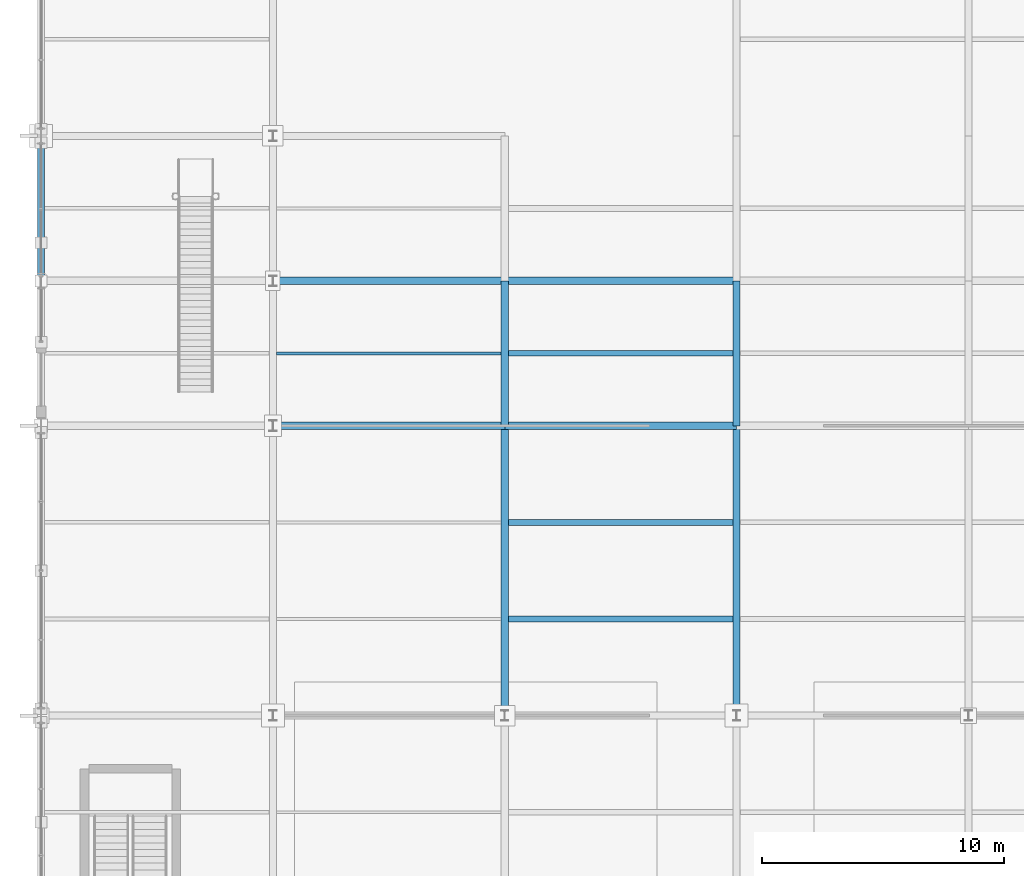
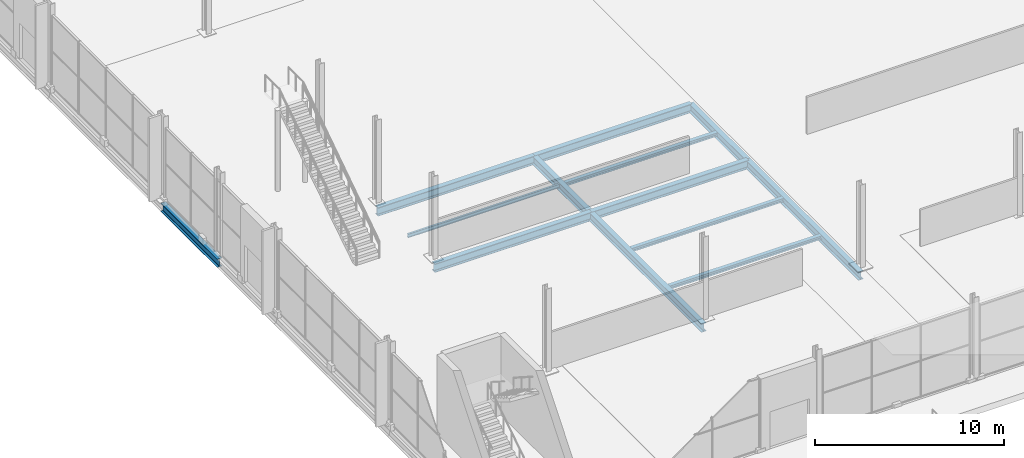
# One storey, part 49 of 196: 13 beams.
"""IFC4 building model written with IfcOpenShell, lengths in metres."""

from ifc_helpers import new_model, si_unit, direction, frame, origin, origin_2d, place, context, subcontext, project, spatial, i_section, extrude, material, material_profile, profile_set, type_object, element, save


model = new_model("IFC4")

# Units and contexts
model_context = context("Model", 3, precision=1e-05, world=origin(), true_north=direction((0.0, 1.0)))
body_context = subcontext(model_context, "Body", "Model", "MODEL_VIEW")
ifc_project = project(units=[si_unit("LENGTHUNIT", "METRE"), si_unit("AREAUNIT", "SQUARE_METRE"), si_unit("VOLUMEUNIT", "CUBIC_METRE"), si_unit("PLANEANGLEUNIT", "RADIAN"), si_unit("MASSUNIT", "GRAM", prefix="KILO")], contexts=[model_context])

# Site, building, storey
site_placement = place(None, origin())
site = spatial("IfcSite", under=ifc_project, at=site_placement, CompositionType="ELEMENT")
building_placement = place(site_placement, origin())
building = spatial("IfcBuilding", under=site, at=building_placement, Name="Merenkruunu Market Hall", CompositionType="ELEMENT")
storey_placement = place(building_placement, origin())
storey = spatial("IfcBuildingStorey", under=building, at=storey_placement, Name="L00", CompositionType="ELEMENT", Elevation=0.0)

# Beams
ifc_material = material(Name="Steel S355J2", Category="steel")
ifc_material_profile_1 = material_profile(ifc_material, i_section(OverallWidth=0.300048828125, OverallDepth=0.550048828125, WebThickness=0.014892578125, FlangeThickness=0.029052734375, FilletRadius=0.027099609375, at=origin_2d()), Name="HEB 550")
ifc_profile_set_1 = profile_set([ifc_material_profile_1], Name="Steel S355J2")
beam_type_1 = type_object("IfcBeamType", Name="Primary Floor Girder B02", PredefinedType="BEAM", material=ifc_profile_set_1)
beam_1_placement = place(storey_placement, frame((9.60009765625, 39.60009765625, -0.614990234375), z_axis=(1.0, 0.0, 0.0), x_axis=(0.0, 1.0, 0.0)))
element("IfcBeam", 1, at=beam_1_placement, inside=storey, type_object=beam_type_1, Name="BM-L00-B02-0046", PredefinedType="BEAM", context=body_context, shape_type="SweptSolid", body=[
    extrude(i_section(OverallWidth=0.300048828125, OverallDepth=0.550048828125, WebThickness=0.014892578125, FlangeThickness=0.029052734375, FilletRadius=0.027099609375, at=origin_2d()), origin(), (0.0, 0.0, 1.0), 9.599853515625),
])
beam_2_placement = place(storey_placement, frame((19.199951171875, 39.60009765625, -0.614990234375), z_axis=(1.0, 0.0, 0.0), x_axis=(0.0, 1.0, 0.0)))
element("IfcBeam", 2, at=beam_2_placement, inside=storey, type_object=beam_type_1, Name="BM-L00-B02-0047", PredefinedType="BEAM", context=body_context, shape_type="SweptSolid", body=[
    extrude(i_section(OverallWidth=0.300048828125, OverallDepth=0.550048828125, WebThickness=0.014892578125, FlangeThickness=0.029052734375, FilletRadius=0.027099609375, at=origin_2d()), origin(), (0.0, 0.0, 1.0), 9.60009765625),
])
beam_3_placement = place(storey_placement, frame((9.60009765625, 45.60009765625, -0.614990234375), z_axis=(1.0, 0.0, 0.0), x_axis=(0.0, 1.0, 0.0)))
element("IfcBeam", 3, at=beam_3_placement, inside=storey, type_object=beam_type_1, Name="BM-L00-B02-0064", PredefinedType="BEAM", context=body_context, shape_type="SweptSolid", body=[
    extrude(i_section(OverallWidth=0.300048828125, OverallDepth=0.550048828125, WebThickness=0.014892578125, FlangeThickness=0.029052734375, FilletRadius=0.027099609375, at=origin_2d()), origin(), (0.0, 0.0, 1.0), 9.599853515625),
])
beam_4_placement = place(storey_placement, frame((19.199951171875, 45.60009765625, -0.614990234375), z_axis=(1.0, 0.0, 0.0), x_axis=(0.0, 1.0, 0.0)))
element("IfcBeam", 4, at=beam_4_placement, inside=storey, type_object=beam_type_1, Name="BM-L00-B02-0065", PredefinedType="BEAM", context=body_context, shape_type="SweptSolid", body=[
    extrude(i_section(OverallWidth=0.300048828125, OverallDepth=0.550048828125, WebThickness=0.014892578125, FlangeThickness=0.029052734375, FilletRadius=0.027099609375, at=origin_2d()), origin(), (0.0, 0.0, 1.0), 9.60009765625),
])
ifc_material_profile_2 = material_profile(ifc_material, i_section(OverallWidth=0.300048828125, OverallDepth=0.5400390625, WebThickness=0.012451171875, FlangeThickness=0.02392578125, FilletRadius=0.027099609375, at=origin_2d()), Name="HEA 550")
ifc_profile_set_2 = profile_set([ifc_material_profile_2], Name="Steel S355J2")
beam_type_2 = type_object("IfcBeamType", Name="Primary Floor Girder B06", PredefinedType="BEAM", material=ifc_profile_set_2)
beam_5_placement = place(storey_placement, frame((0.0, 45.60009765625, -0.610107421875), z_axis=(0.0, 1.0, 0.0), x_axis=(-1.0, 0.0, 0.0)))
element("IfcBeam", 5, at=beam_5_placement, inside=storey, type_object=beam_type_2, Name="BM-L00-B06-0139", PredefinedType="BEAM", context=body_context, shape_type="SweptSolid", body=[
    extrude(i_section(OverallWidth=0.300048828125, OverallDepth=0.5400390625, WebThickness=0.012451171875, FlangeThickness=0.02392578125, FilletRadius=0.027099609375, at=origin_2d()), origin(), (0.0, 0.0, 1.0), 6.0),
])
beam_6_placement = place(storey_placement, frame((19.199951171875, 27.60009765625, -0.610107421875), z_axis=(0.0, 1.0, 0.0), x_axis=(-1.0, 0.0, 0.0)))
element("IfcBeam", 6, at=beam_6_placement, inside=storey, type_object=beam_type_2, Name="BM-L00-B06-0155", PredefinedType="BEAM", context=body_context, shape_type="SweptSolid", body=[
    extrude(i_section(OverallWidth=0.300048828125, OverallDepth=0.5400390625, WebThickness=0.012451171875, FlangeThickness=0.02392578125, FilletRadius=0.027099609375, at=origin_2d()), origin(), (0.0, 0.0, 1.0), 12.0),
])
beam_7_placement = place(storey_placement, frame((19.199951171875, 39.60009765625, -0.610107421875), z_axis=(0.0, 1.0, 0.0), x_axis=(-1.0, 0.0, 0.0)))
element("IfcBeam", 7, at=beam_7_placement, inside=storey, type_object=beam_type_2, Name="BM-L00-B06-0156", PredefinedType="BEAM", context=body_context, shape_type="SweptSolid", body=[
    extrude(i_section(OverallWidth=0.300048828125, OverallDepth=0.5400390625, WebThickness=0.012451171875, FlangeThickness=0.02392578125, FilletRadius=0.027099609375, at=origin_2d()), origin(), (0.0, 0.0, 1.0), 6.0),
])
beam_8_placement = place(storey_placement, frame((28.800048828125, 27.60009765625, -0.610107421875), z_axis=(0.0, 1.0, 0.0), x_axis=(-1.0, 0.0, 0.0)))
element("IfcBeam", 8, at=beam_8_placement, inside=storey, type_object=beam_type_2, Name="BM-L00-B06-0159", PredefinedType="BEAM", context=body_context, shape_type="SweptSolid", body=[
    extrude(i_section(OverallWidth=0.300048828125, OverallDepth=0.5400390625, WebThickness=0.012451171875, FlangeThickness=0.02392578125, FilletRadius=0.027099609375, at=origin_2d()), origin(), (0.0, 0.0, 1.0), 12.0),
])
beam_9_placement = place(storey_placement, frame((28.800048828125, 39.60009765625, -0.610107421875), z_axis=(0.0, 1.0, 0.0), x_axis=(-1.0, 0.0, 0.0)))
element("IfcBeam", 9, at=beam_9_placement, inside=storey, type_object=beam_type_2, Name="BM-L00-B06-0160", PredefinedType="BEAM", context=body_context, shape_type="SweptSolid", body=[
    extrude(i_section(OverallWidth=0.300048828125, OverallDepth=0.5400390625, WebThickness=0.012451171875, FlangeThickness=0.02392578125, FilletRadius=0.027099609375, at=origin_2d()), origin(), (0.0, 0.0, 1.0), 6.0),
])
ifc_material_profile_3 = material_profile(ifc_material, i_section(OverallWidth=0.1201171875, OverallDepth=0.239990234375, WebThickness=0.006103515625, FlangeThickness=0.009765625, FilletRadius=0.014892578125, at=origin_2d()), Name="IPE 240")
ifc_profile_set_3 = profile_set([ifc_material_profile_3], Name="Steel S355J2")
beam_type_3 = type_object("IfcBeamType", Name="Secondary Floor Joist J05", PredefinedType="JOIST", material=ifc_profile_set_3)
beam_10_placement = place(storey_placement, frame((9.7529296875, 42.60009765625, -0.4599609375), z_axis=(1.0, 0.0, 0.0), x_axis=(0.0, 1.0, 0.0)))
element("IfcBeam", 10, at=beam_10_placement, inside=storey, type_object=beam_type_3, Name="BM-L00-J05-0294", PredefinedType="JOIST", context=body_context, shape_type="SweptSolid", body=[
    extrude(i_section(OverallWidth=0.1201171875, OverallDepth=0.239990234375, WebThickness=0.006103515625, FlangeThickness=0.009765625, FilletRadius=0.014892578125, at=origin_2d()), origin(), (0.0, 0.0, 1.0), 9.294189453125),
])
ifc_material_profile_4 = material_profile(ifc_material, i_section(OverallWidth=0.239990234375, OverallDepth=0.22998046875, WebThickness=0.007568359375, FlangeThickness=0.011962890625, FilletRadius=0.02099609375, at=origin_2d()), Name="HEA 240")
ifc_profile_set_4 = profile_set([ifc_material_profile_4], Name="Steel S355J2")
beam_type_4 = type_object("IfcBeamType", Name="Secondary Floor Joist J06", PredefinedType="JOIST", material=ifc_profile_set_4)
for number, where, z_axis, x_axis, name in (
    (11, (19.35302734375, 31.60009765625, -0.455078125), (1.0, 0.0, 0.0), (0.0, 1.0, 0.0), "BM-L00-J06-0298"),
    (12, (19.35302734375, 35.60009765625, -0.455078125), (1.0, 0.0, 0.0), (0.0, 1.0, 0.0), "BM-L00-J06-0299"),
    (13, (19.35302734375, 42.60009765625, -0.455078125), (1.0, 0.0, 0.0), (0.0, 1.0, 0.0), "BM-L00-J06-0300"),
):
    element("IfcBeam", number, at=place(storey_placement, frame(where, z_axis=z_axis, x_axis=x_axis)), inside=storey, type_object=beam_type_4, Name=name, PredefinedType="JOIST", context=body_context, shape_type="SweptSolid", body=[
        extrude(i_section(OverallWidth=0.239990234375, OverallDepth=0.22998046875, WebThickness=0.007568359375, FlangeThickness=0.011962890625, FilletRadius=0.02099609375, at=origin_2d()), origin(), (0.0, 0.0, 1.0), 9.2939453125),
    ])

save(model, "model.ifc")
